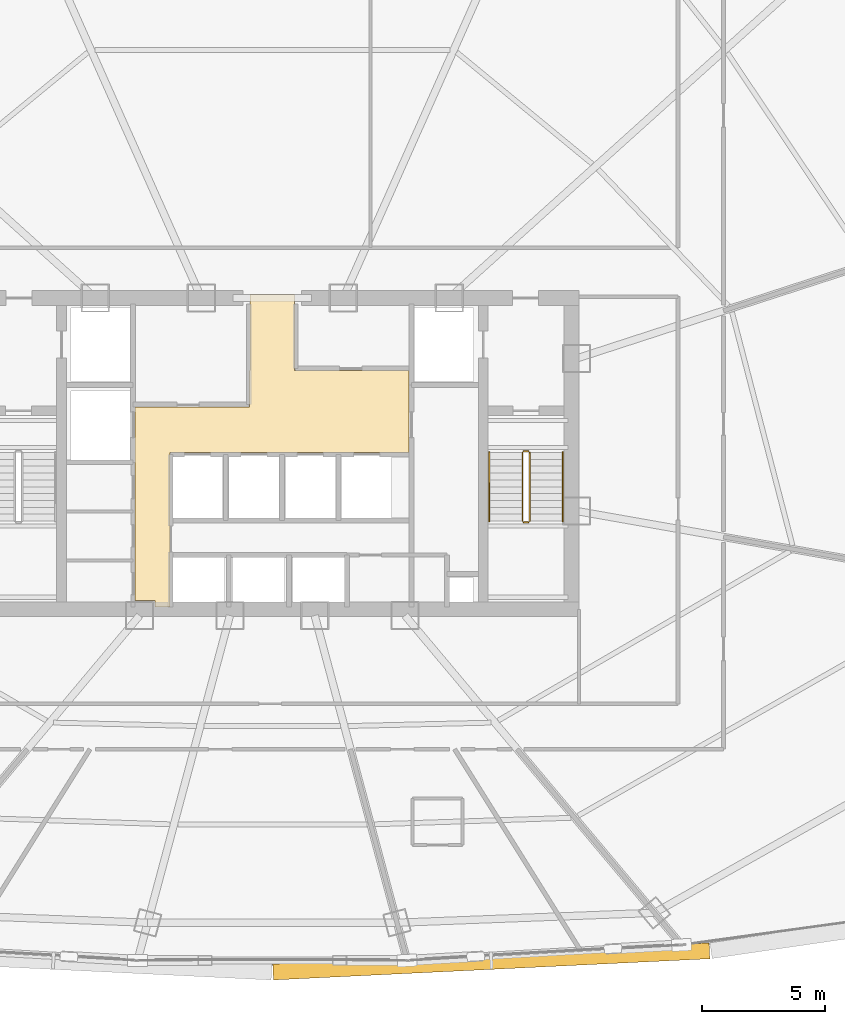
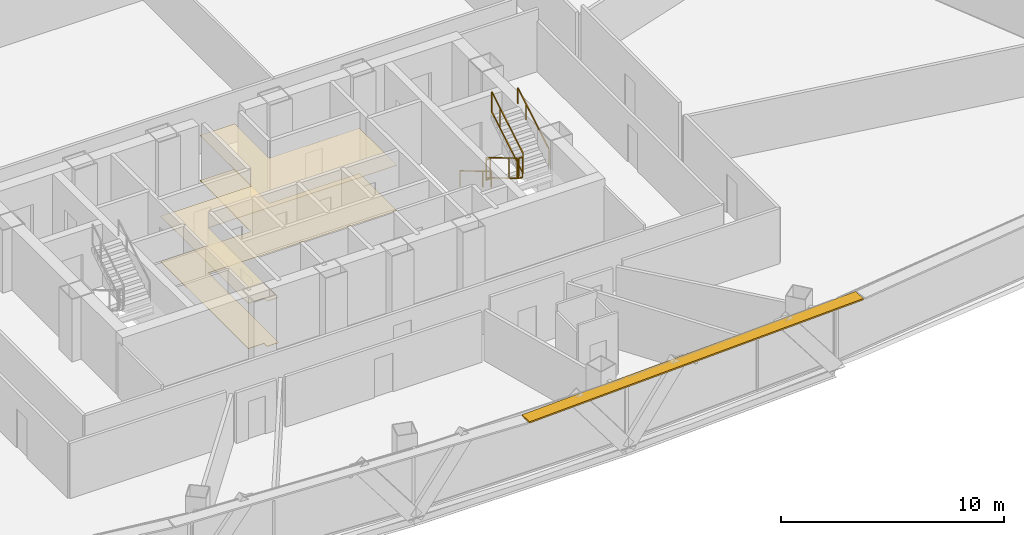
# One storey, part 37 of 39: 6 railings, 2 coverings, 1 shading device.
"""IFC4 building model written with IfcOpenShell, lengths in metres."""

from ifc_helpers import new_model, si_unit, direction, frame, origin, origin_2d, place, context, subcontext, project, spatial, polyline, rectangle, outline, extrude, source, transform, mapped, material, layer, layer_set, type_object, element, save


model = new_model("IFC4")

# Units and contexts
model_context = context("Model", 3, precision=1e-05, world=origin(), true_north=direction((0.0, 1.0)))
body_context = subcontext(model_context, "Body", "Model", "MODEL_VIEW")
ifc_project = project(units=[si_unit("LENGTHUNIT", "METRE"), si_unit("AREAUNIT", "SQUARE_METRE"), si_unit("VOLUMEUNIT", "CUBIC_METRE"), si_unit("PLANEANGLEUNIT", "RADIAN"), si_unit("MASSUNIT", "GRAM", prefix="KILO"), si_unit("THERMODYNAMICTEMPERATUREUNIT", "KELVIN"), si_unit("POWERUNIT", "WATT")], contexts=[model_context])

# Site, building, storey
site_placement = place(None, origin())
site = spatial("IfcSite", under=ifc_project, at=site_placement, CompositionType="ELEMENT")
building_placement = place(site_placement, origin())
building = spatial("IfcBuilding", under=site, at=building_placement, Name="Yunzhuo Pagoda Commons", CompositionType="ELEMENT")
storey_placement = place(building_placement, frame((0.0, 0.0, 144.550048828125)))
storey = spatial("IfcBuildingStorey", under=building, at=storey_placement, Name="L36", CompositionType="ELEMENT", Elevation=144.550048828125)

# Coverings
ifc_material_1 = material(Name="Perforated gypsum acoustic ceiling tile")
ifc_layer_1 = layer(ifc_material_1, 0.030029296875)
ifc_layer_set_1 = layer_set([ifc_layer_1], Name="Perforated gypsum acoustic ceiling tile")
covering_type_1 = type_object("IfcCoveringType", Name="COV-CL2 Ceiling 30", PredefinedType="CEILING", material=ifc_layer_set_1)
covering_1_placement = place(storey_placement, frame((0.0, 0.0, 2.469970703125)))
element("IfcCovering", 1, at=covering_1_placement, inside=storey, type_object=covering_type_1, Name="L36 lift lobby acoustic ceiling", PredefinedType="CEILING", context=body_context, shape_type="SweptSolid", body=[
    extrude(outline(polyline([(42.39990234375, 35.75), (47.080078125, 35.75), (47.080078125, 37.25), (47.10009765625, 37.25), (47.10009765625, 40.35009765625), (48.89990234375, 40.35009765625), (48.89990234375, 37.25), (53.580078125, 37.25), (53.580078125, 33.89990234375), (43.820068359375, 33.89990234375), (43.820068359375, 27.60009765625), (43.207763671875, 27.60009765625), (43.207763671875, 27.85009765625), (43.201904296875, 27.864013671875), (43.187744140625, 27.8701171875), (42.39990234375, 27.8701171875), (42.39990234375, 33.89990234375), (42.39990234375, 35.75)])), origin(), (0.0, 0.0, 1.0), 0.030029296875),
])
ifc_material_2 = material(Name="Porcelain ceramic floor tile")
ifc_layer_2 = layer(ifc_material_2, 0.02001953125)
ifc_layer_set_2 = layer_set([ifc_layer_2], Name="Porcelain ceramic floor tile")
covering_type_2 = type_object("IfcCoveringType", Name="COV-FL1 Flooring 20", PredefinedType="FLOORING", material=ifc_layer_set_2)
covering_2_placement = place(storey_placement, origin())
element("IfcCovering", 2, at=covering_2_placement, inside=storey, type_object=covering_type_2, Name="L36 lift lobby flooring", PredefinedType="FLOORING", context=body_context, shape_type="SweptSolid", body=[
    extrude(outline(polyline([(42.39990234375, 35.75), (47.080078125, 35.75), (47.080078125, 37.25), (47.10009765625, 37.25), (47.10009765625, 40.35009765625), (48.89990234375, 40.35009765625), (48.89990234375, 37.25), (53.580078125, 37.25), (53.580078125, 33.89990234375), (43.820068359375, 33.89990234375), (43.820068359375, 27.60009765625), (43.207763671875, 27.60009765625), (43.207763671875, 27.85009765625), (43.201904296875, 27.864013671875), (43.187744140625, 27.8701171875), (42.39990234375, 27.8701171875), (42.39990234375, 33.89990234375), (42.39990234375, 35.75)])), origin(), (0.0, 0.0, 1.0), 0.02001953125),
])

# Railings
ifc_material_3 = material(Name="Anodized aluminium 6063-T6", Category="aluminium")
railing_type_1 = type_object("IfcRailingType", Name="GR-ST2 Stair Well Guardrail 1160", PredefinedType="GUARDRAIL", material=ifc_material_3)
railing_1_placement = place(storey_placement, frame((58.199951171875, 33.89990234375, 0.167236328125)))
element("IfcRailing", 3, at=railing_1_placement, inside=storey, type_object=railing_type_1, Name="L36 ST2 stair guard 1", PredefinedType="GUARDRAIL", context=body_context, shape_type="SweptSolid", body=[
    extrude(rectangle(XDim=0.048095703125, YDim=0.048095703125, at=origin_2d()), frame((0.0, 0.0, 1.1259765625), z_axis=(0.0, -0.858475523978, 0.512854535645), x_axis=(1.0, 0.0, 0.0)), (0.0, 0.0, 1.0), 3.261474609375),
    extrude(rectangle(XDim=0.048095703125, YDim=0.048095703125, at=origin_2d()), frame((0.0, 0.0, 0.02392578125), z_axis=(0.0, -0.858475523978, 0.512854535645), x_axis=(1.0, 0.0, 0.0)), (0.0, 0.0, 1.0), 3.261474609375),
    extrude(rectangle(XDim=0.0419921875, YDim=0.0419921875, at=origin_2d()), origin(), (0.0, 0.0, 1.0), 1.101806640625),
    extrude(rectangle(XDim=0.0419921875, YDim=0.0419921875, at=origin_2d()), frame((0.0, -2.060302734375, 1.23095703125)), (0.0, 0.0, 1.0), 1.101806640625),
    extrude(rectangle(XDim=0.0419921875, YDim=0.0419921875, at=origin_2d()), frame((0.0, -2.7998046875, 1.672607421875)), (0.0, 0.0, 1.0), 1.101806640625),
])
railing_2_placement = place(storey_placement, frame((58.25, 31.050048828125, 1.83984375)))
element("IfcRailing", 4, at=railing_2_placement, inside=storey, type_object=railing_type_1, Name="L36 ST2 stair guard 2", PredefinedType="GUARDRAIL", context=body_context, shape_type="SweptSolid", body=[
    extrude(rectangle(XDim=0.048095703125, YDim=0.048095703125, at=origin_2d()), frame((0.0, 0.0, 1.1259765625), z_axis=(1.0, 0.0, 0.0), x_axis=(0.0, 1.0, 0.0)), (0.0, 0.0, 1.0), 0.199951171875),
    extrude(rectangle(XDim=0.048095703125, YDim=0.048095703125, at=origin_2d()), frame((0.0, 0.0, 0.02392578125), z_axis=(1.0, 0.0, 0.0), x_axis=(0.0, 1.0, 0.0)), (0.0, 0.0, 1.0), 0.199951171875),
    extrude(rectangle(XDim=0.0419921875, YDim=0.0419921875, at=origin_2d()), origin(), (0.0, 0.0, 1.0), 1.101806640625),
    extrude(rectangle(XDim=0.0419921875, YDim=0.0419921875, at=origin_2d()), frame((0.199951171875, 0.0, 0.0)), (0.0, 0.0, 1.0), 1.101806640625),
])
railing_3_placement = place(storey_placement, frame((58.5, 31.10009765625, 2.00732421875)))
element("IfcRailing", 5, at=railing_3_placement, inside=storey, type_object=railing_type_1, Name="L36 ST2 stair guard 3", PredefinedType="GUARDRAIL", context=body_context, shape_type="SweptSolid", body=[
    extrude(rectangle(XDim=0.048095703125, YDim=0.048095703125, at=origin_2d()), frame((0.0, 0.0, 1.1259765625), z_axis=(0.0, 0.858475523978, 0.512854535645), x_axis=(-1.0, 0.0, 0.0)), (0.0, 0.0, 1.0), 3.261474609375),
    extrude(rectangle(XDim=0.048095703125, YDim=0.048095703125, at=origin_2d()), frame((0.0, 0.0, 0.02392578125), z_axis=(0.0, 0.858475523978, 0.512854535645), x_axis=(-1.0, 0.0, 0.0)), (0.0, 0.0, 1.0), 3.261474609375),
    extrude(rectangle(XDim=0.0419921875, YDim=0.0419921875, at=origin_2d()), origin(), (0.0, 0.0, 1.0), 1.101806640625),
    extrude(rectangle(XDim=0.0419921875, YDim=0.0419921875, at=origin_2d()), frame((0.0, 2.060302734375, 1.23095703125)), (0.0, 0.0, 1.0), 1.101806640625),
    extrude(rectangle(XDim=0.0419921875, YDim=0.0419921875, at=origin_2d()), frame((0.0, 2.7998046875, 1.672607421875)), (0.0, 0.0, 1.0), 1.101806640625),
])
railing_4_placement = place(storey_placement, frame((58.25, 33.949951171875, 0.0)))
element("IfcRailing", 6, at=railing_4_placement, inside=storey, type_object=railing_type_1, Name="L36 ST2 stair guard 4", PredefinedType="GUARDRAIL", context=body_context, shape_type="SweptSolid", body=[
    extrude(rectangle(XDim=0.048095703125, YDim=0.048095703125, at=origin_2d()), frame((0.0, 0.0, 1.1259765625), z_axis=(1.0, 0.0, 0.0), x_axis=(0.0, 1.0, 0.0)), (0.0, 0.0, 1.0), 0.199951171875),
    extrude(rectangle(XDim=0.048095703125, YDim=0.048095703125, at=origin_2d()), frame((0.0, 0.0, 0.02392578125), z_axis=(1.0, 0.0, 0.0), x_axis=(0.0, 1.0, 0.0)), (0.0, 0.0, 1.0), 0.199951171875),
    extrude(rectangle(XDim=0.0419921875, YDim=0.0419921875, at=origin_2d()), origin(), (0.0, 0.0, 1.0), 1.101806640625),
    extrude(rectangle(XDim=0.0419921875, YDim=0.0419921875, at=origin_2d()), frame((0.199951171875, 0.0, 0.0)), (0.0, 0.0, 1.0), 1.101806640625),
])
railing_type_2 = type_object("IfcRailingType", Name="HR-ST2 Stair Handrail 900", PredefinedType="HANDRAIL", material=ifc_material_3)
railing_5_placement = place(storey_placement, frame((56.85009765625, 33.89990234375, 0.167236328125)))
element("IfcRailing", 7, at=railing_5_placement, inside=storey, type_object=railing_type_2, Name="L36 ST2 stair handrail 1", PredefinedType="HANDRAIL", context=body_context, shape_type="SweptSolid", body=[
    extrude(rectangle(XDim=0.048095703125, YDim=0.048095703125, at=origin_2d()), frame((0.0, 0.0, 0.8759765625), z_axis=(0.0, -0.858475523978, 0.512854535645), x_axis=(1.0, 0.0, 0.0)), (0.0, 0.0, 1.0), 3.261474609375),
    extrude(rectangle(XDim=0.0419921875, YDim=0.0419921875, at=origin_2d()), origin(), (0.0, 0.0, 1.0), 0.851806640625),
    extrude(rectangle(XDim=0.0419921875, YDim=0.0419921875, at=origin_2d()), frame((0.0, -2.060302734375, 1.23095703125)), (0.0, 0.0, 1.0), 0.851806640625),
    extrude(rectangle(XDim=0.0419921875, YDim=0.0419921875, at=origin_2d()), frame((0.0, -2.7998046875, 1.672607421875)), (0.0, 0.0, 1.0), 0.851806640625),
])
railing_6_placement = place(storey_placement, frame((59.85009765625, 31.10009765625, 2.00732421875)))
element("IfcRailing", 8, at=railing_6_placement, inside=storey, type_object=railing_type_2, Name="L36 ST2 stair handrail 2", PredefinedType="HANDRAIL", context=body_context, shape_type="SweptSolid", body=[
    extrude(rectangle(XDim=0.048095703125, YDim=0.048095703125, at=origin_2d()), frame((0.0, 0.0, 0.8759765625), z_axis=(0.0, 0.858475523978, 0.512854535645), x_axis=(-1.0, 0.0, 0.0)), (0.0, 0.0, 1.0), 3.261474609375),
    extrude(rectangle(XDim=0.0419921875, YDim=0.0419921875, at=origin_2d()), origin(), (0.0, 0.0, 1.0), 0.851806640625),
    extrude(rectangle(XDim=0.0419921875, YDim=0.0419921875, at=origin_2d()), frame((0.0, 2.060302734375, 1.23095703125)), (0.0, 0.0, 1.0), 0.851806640625),
    extrude(rectangle(XDim=0.0419921875, YDim=0.0419921875, at=origin_2d()), frame((0.0, 2.7998046875, 1.672607421875)), (0.0, 0.0, 1.0), 0.851806640625),
])

# Shading device
ifc_layer_3 = layer(ifc_material_3, 0.080078125)
ifc_layer_set_3 = layer_set([ifc_layer_3], Name="Anodized aluminium 6063-T6")
shading_device_type = type_object("IfcShadingDeviceType", Name="SH-SUN1 Pagoda Horizontal Sunshade Eave 650", PredefinedType="USERDEFINED", material=ifc_layer_set_3)
shared_shape = source(origin(), body_context, "Body", "SweptSolid", [
    extrude(rectangle(XDim=17.818603515625, YDim=0.64990234375, at=origin_2d()), origin(), (0.0, 0.0, 1.0), 0.080078125),
])
shading_device_placement = place(storey_placement, frame((56.930419921875, 13.14404296875, 3.33984375), z_axis=(0.0, 0.0, 1.0), x_axis=(0.998818043775, 0.04860571396, 0.0)))
element("IfcShadingDevice", 9, at=shading_device_placement, inside=storey, type_object=shading_device_type, Name="L36 horizontal pagoda sunshade eave F1.3", ObjectType="SUNSHADE", PredefinedType="USERDEFINED", context=body_context, shape_type="MappedRepresentation", body=[
    mapped(shared_shape, transform((0.0, 0.0, 0.0), scale=1.0)),
])

save(model, "model.ifc")
